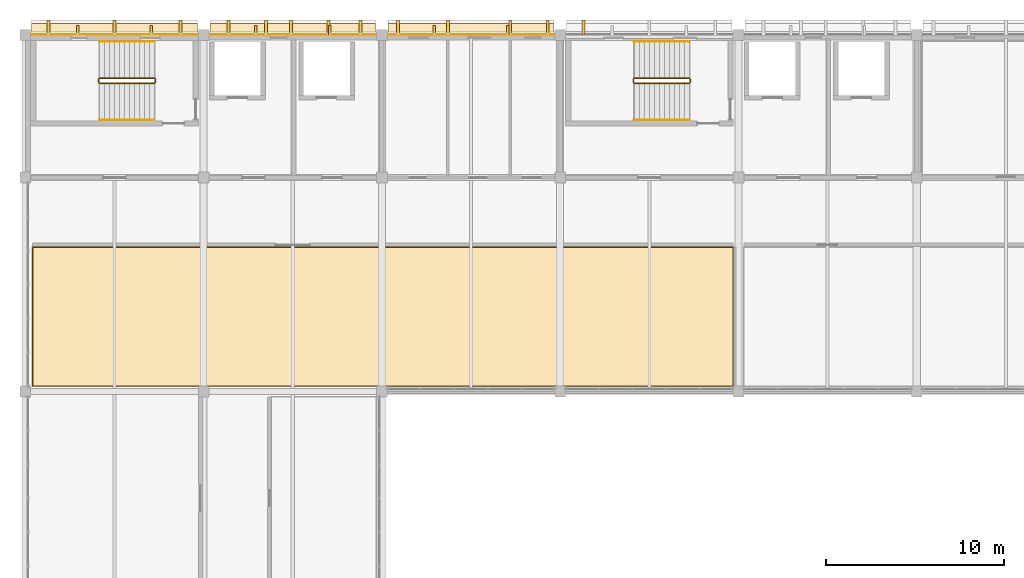
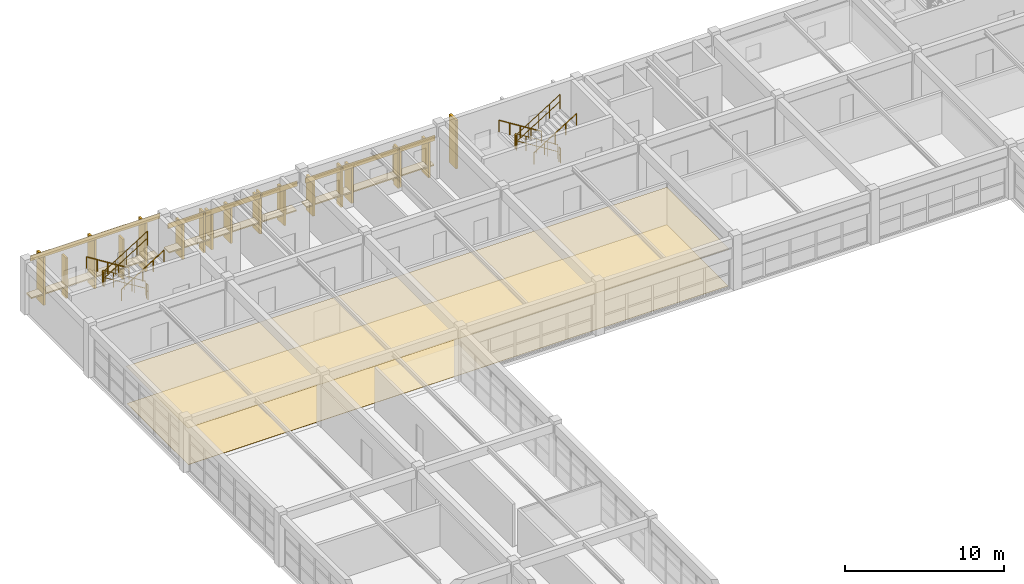
# One storey, part 26 of 28: 21 coverings, 12 railings, 6 shading devices.
"""IFC4 building model written with IfcOpenShell, lengths in metres."""

from ifc_helpers import new_model, si_unit, direction, frame, frame_2d, origin, origin_2d, place, context, subcontext, project, spatial, polyline, rectangle, circle, outline, extrude, material, layer, layer_set, type_object, element, save


model = new_model("IFC4")

# Units and contexts
model_context = context("Model", 3, precision=1e-05, world=origin(), true_north=direction((0.0, 1.0)))
body_context = subcontext(model_context, "Body", "Model", "MODEL_VIEW")
ifc_project = project(units=[si_unit("LENGTHUNIT", "METRE"), si_unit("AREAUNIT", "SQUARE_METRE"), si_unit("VOLUMEUNIT", "CUBIC_METRE"), si_unit("PLANEANGLEUNIT", "RADIAN"), si_unit("MASSUNIT", "GRAM", prefix="KILO")], contexts=[model_context])

# Site, building, storey
site_placement = place(None, origin())
site = spatial("IfcSite", under=ifc_project, at=site_placement, CompositionType="ELEMENT")
building_placement = place(site_placement, origin())
building = spatial("IfcBuilding", under=site, at=building_placement, Name="Kivolera Central Railway Station", CompositionType="ELEMENT")
storey_placement = place(building_placement, frame((0.0, 0.0, 18.60009765625)))
storey = spatial("IfcBuildingStorey", under=building, at=storey_placement, Name="L04", CompositionType="ELEMENT", Elevation=18.60009765625)

# Shading devices
ifc_material_1 = material(Name="Precast concrete C40/50", Category="concrete")
shading_device_type = type_object("IfcShadingDeviceType", Name="BS-FIN-UPP", PredefinedType="USERDEFINED", material=ifc_material_1)
for number, where, z_axis, x_axis, name in (
    (1, (120.929931640625, 134.26708984375, -0.000244140625), (0.0, 0.0, 1.0), (1.0, 0.0, 0.0), "L04 North Brise-Soleil Fin 1.1"),
    (2, (125.070068359375, 134.26708984375, -0.000244140625), (0.0, 0.0, 1.0), (1.0, 0.0, 0.0), "L04 North Brise-Soleil Fin 1.2"),
    (3, (130.929931640625, 134.26708984375, -0.000244140625), (0.0, 0.0, 1.0), (1.0, 0.0, 0.0), "L04 North Brise-Soleil Fin 2.1"),
    (4, (135.070068359375, 134.26708984375, -0.000244140625), (0.0, 0.0, 1.0), (1.0, 0.0, 0.0), "L04 North Brise-Soleil Fin 2.2"),
    (5, (140.929931640625, 134.26708984375, -0.000244140625), (0.0, 0.0, 1.0), (1.0, 0.0, 0.0), "L04 North Brise-Soleil Fin 3.1"),
    (6, (145.070068359375, 134.26708984375, -0.000244140625), (0.0, 0.0, 1.0), (1.0, 0.0, 0.0), "L04 North Brise-Soleil Fin 3.2"),
):
    element("IfcShadingDevice", number, at=place(storey_placement, frame(where, z_axis=z_axis, x_axis=x_axis)), inside=storey, type_object=shading_device_type, Name=name, ObjectType="FIN", PredefinedType="USERDEFINED", context=body_context, shape_type="SweptSolid", body=[
        extrude(rectangle(XDim=0.139892578125, YDim=0.550048828125, at=origin_2d()), origin(), (0.0, 0.0, 1.0), 3.10009765625),
    ])

# Coverings
ifc_material_2 = material(Name="Mineral fibre acoustic tile")
ifc_layer_1 = layer(ifc_material_2, 0.02001953125, Name="Mineral fibre acoustic tile")
ifc_layer_set_1 = layer_set([ifc_layer_1], Name="Mineral fibre acoustic tile")
covering_type_1 = type_object("IfcCoveringType", Name="COV-CEIL-20", PredefinedType="CEILING", material=ifc_layer_set_1)
covering_1_placement = place(storey_placement, frame((0.0, 0.0, 2.849853515625)))
element("IfcCovering", 7, at=covering_1_placement, inside=storey, type_object=covering_type_1, Name="L04 Central Traffic Control Operations Office Acoustic Ceiling", PredefinedType="CEILING", context=body_context, shape_type="SweptSolid", body=[
    extrude(outline(polyline([(118.3798828125, 114.280029296875), (157.719970703125, 114.280029296875), (157.719970703125, 122.1201171875), (118.3798828125, 122.1201171875), (118.3798828125, 114.280029296875)])), origin(), (0.0, 0.0, 1.0), 0.02001953125),
])
ifc_layer_2 = layer(ifc_material_1, 0.090087890625, Name="Precast concrete C40/50")
ifc_layer_set_2 = layer_set([ifc_layer_2], Name="Precast concrete C40/50")
covering_type_2 = type_object("IfcCoveringType", Name="COV-CLAUSTRA-90", PredefinedType="CLADDING", material=ifc_layer_set_2)
for number, where, z_axis, x_axis, name in (
    (8, (123.0, 134.31298828125, 0.85498046875), (0.0, 0.0, 1.0), (1.0, 0.0, 0.0), "L04 North Precast Egg-Crate Sill Shelf 1"),
    (9, (133.0, 134.31298828125, 0.85498046875), (0.0, 0.0, 1.0), (1.0, 0.0, 0.0), "L04 North Precast Egg-Crate Sill Shelf 2"),
    (10, (143.0, 134.31298828125, 0.85498046875), (0.0, 0.0, 1.0), (1.0, 0.0, 0.0), "L04 North Precast Egg-Crate Sill Shelf 3"),
):
    element("IfcCovering", number, at=place(storey_placement, frame(where, z_axis=z_axis, x_axis=x_axis)), inside=storey, type_object=covering_type_2, Name=name, PredefinedType="CLADDING", context=body_context, shape_type="SweptSolid", body=[
        extrude(rectangle(XDim=9.2900390625, YDim=0.64990234375, at=origin_2d()), origin(), (0.0, 0.0, 1.0), 0.090087890625),
    ])
ifc_material_3 = material(Name="Swahili coral limestone", Category="masonry")
ifc_layer_3 = layer(ifc_material_3, 0.159912109375, Name="Swahili coral limestone")
ifc_layer_set_3 = layer_set([ifc_layer_3], Name="Swahili coral limestone")
covering_type_3 = type_object("IfcCoveringType", Name="COV-EGGFIN-160", PredefinedType="CLADDING", material=ifc_layer_set_3)
for number, where, z_axis, x_axis, name in (
    (11, (119.300048828125, 134.4130859375, 0.0400390625), (0.0, 0.0, 1.0), (1.0, 0.0, 0.0), "L04 North Afro-Modernist Coral-Stone Sun-Fin 1.1"),
    (12, (123.0, 134.4130859375, 0.0400390625), (0.0, 0.0, 1.0), (1.0, 0.0, 0.0), "L04 North Afro-Modernist Coral-Stone Sun-Fin 1.2"),
    (13, (126.699951171875, 134.4130859375, 0.0400390625), (0.0, 0.0, 1.0), (1.0, 0.0, 0.0), "L04 North Afro-Modernist Coral-Stone Sun-Fin 1.3"),
):
    element("IfcCovering", number, at=place(storey_placement, frame(where, z_axis=z_axis, x_axis=x_axis)), inside=storey, type_object=covering_type_3, Name=name, PredefinedType="CLADDING", context=body_context, shape_type="SweptSolid", body=[
        extrude(rectangle(XDim=0.159912109375, YDim=0.85009765625, at=origin_2d()), origin(), (0.0, 0.0, 1.0), 3.719970703125),
    ])
for number, where, z_axis, x_axis, name in (
    (14, (129.39990234375, 134.4130859375, 0.039794921875), (0.0, 0.0, 1.0), (1.0, 0.0, 0.0), "L04 North Afro-Modernist Coral-Stone Sun-Fin 2.1"),
    (15, (131.5, 134.4130859375, 0.039794921875), (0.0, 0.0, 1.0), (1.0, 0.0, 0.0), "L04 North Afro-Modernist Coral-Stone Sun-Fin 2.2"),
    (16, (132.89990234375, 134.4130859375, 0.039794921875), (0.0, 0.0, 1.0), (1.0, 0.0, 0.0), "L04 North Afro-Modernist Coral-Stone Sun-Fin 2.3"),
    (17, (135.0, 134.4130859375, 0.039794921875), (0.0, 0.0, 1.0), (1.0, 0.0, 0.0), "L04 North Afro-Modernist Coral-Stone Sun-Fin 2.4"),
    (18, (136.800048828125, 134.4130859375, 0.039794921875), (0.0, 0.0, 1.0), (1.0, 0.0, 0.0), "L04 North Afro-Modernist Coral-Stone Sun-Fin 2.5"),
    (19, (138.89990234375, 134.4130859375, 0.039794921875), (0.0, 0.0, 1.0), (1.0, 0.0, 0.0), "L04 North Afro-Modernist Coral-Stone Sun-Fin 3.1"),
    (20, (141.699951171875, 134.4130859375, 0.039794921875), (0.0, 0.0, 1.0), (1.0, 0.0, 0.0), "L04 North Afro-Modernist Coral-Stone Sun-Fin 3.2"),
    (21, (145.199951171875, 134.4130859375, 0.039794921875), (0.0, 0.0, 1.0), (1.0, 0.0, 0.0), "L04 North Afro-Modernist Coral-Stone Sun-Fin 3.3"),
    (22, (147.300048828125, 134.4130859375, 0.039794921875), (0.0, 0.0, 1.0), (1.0, 0.0, 0.0), "L04 North Afro-Modernist Coral-Stone Sun-Fin 3.4"),
):
    element("IfcCovering", number, at=place(storey_placement, frame(where, z_axis=z_axis, x_axis=x_axis)), inside=storey, type_object=covering_type_3, Name=name, PredefinedType="CLADDING", context=body_context, shape_type="SweptSolid", body=[
        extrude(rectangle(XDim=0.159912109375, YDim=0.85009765625, at=origin_2d()), origin(), (0.0, 0.0, 1.0), 2.7080078125),
    ])
covering_2_placement = place(storey_placement, frame((149.300048828125, 134.4130859375, 0.0400390625), z_axis=(0.0, 0.0, 1.0), x_axis=(1.0, 0.0, 0.0)))
element("IfcCovering", 23, at=covering_2_placement, inside=storey, type_object=covering_type_3, Name="L04 North Afro-Modernist Coral-Stone Sun-Fin 4.1", PredefinedType="CLADDING", context=body_context, shape_type="SweptSolid", body=[
    extrude(rectangle(XDim=0.159912109375, YDim=0.85009765625, at=origin_2d()), origin(), (0.0, 0.0, 1.0), 3.719970703125),
])
ifc_material_4 = material(Name="Terracotta clay tile", Category="masonry")
ifc_layer_4 = layer(ifc_material_4, 0.02197265625, Name="Terracotta clay tile")
ifc_layer_set_4 = layer_set([ifc_layer_4], Name="Terracotta clay tile")
covering_type_4 = type_object("IfcCoveringType", Name="COV-FLR-22", PredefinedType="FLOORING", material=ifc_layer_set_4)
covering_3_placement = place(storey_placement, origin())
element("IfcCovering", 24, at=covering_3_placement, inside=storey, type_object=covering_type_4, Name="L04 Central Traffic Control Operations Office Floor Finish", PredefinedType="FLOORING", context=body_context, shape_type="SweptSolid", body=[
    extrude(outline(polyline([(118.419921875, 114.320068359375), (157.679931640625, 114.320068359375), (157.679931640625, 122.080078125), (118.419921875, 122.080078125), (118.419921875, 114.320068359375)])), origin(), (0.0, 0.0, 1.0), 0.02197265625),
])
ifc_layer_5 = layer(ifc_material_4, 0.044921875, Name="Terracotta clay tile")
ifc_layer_set_5 = layer_set([ifc_layer_5], Name="Terracotta clay tile")
covering_type_5 = type_object("IfcCoveringType", Name="COV-TERRACOTTA-45", PredefinedType="CLADDING", material=ifc_layer_set_5)
covering_4_placement = place(storey_placement, frame((118.294921875, 134.02001953125, 3.77001953125), z_axis=(0.0, 0.0, 1.0), x_axis=(1.0, 0.0, 0.0)))
element("IfcCovering", 25, at=covering_4_placement, inside=storey, type_object=covering_type_5, Name="L04 North Terracotta Spandrel 1", PredefinedType="CLADDING", context=body_context, shape_type="SweptSolid", body=[
    extrude(rectangle(XDim=9.41015625, YDim=0.044921875, at=frame_2d((4.705078125, 0.0))), origin(), (0.0, 0.0, 1.0), 0.39990234375),
])
for number, where, z_axis, x_axis, name in (
    (26, (128.294921875, 134.02001953125, 2.7578125), (0.0, 0.0, 1.0), (1.0, 0.0, 0.0), "L04 North Terracotta Spandrel 2"),
    (27, (138.294921875, 134.02001953125, 2.7578125), (0.0, 0.0, 1.0), (1.0, 0.0, 0.0), "L04 North Terracotta Spandrel 3"),
):
    element("IfcCovering", number, at=place(storey_placement, frame(where, z_axis=z_axis, x_axis=x_axis)), inside=storey, type_object=covering_type_5, Name=name, PredefinedType="CLADDING", context=body_context, shape_type="SweptSolid", body=[
        extrude(rectangle(XDim=9.41015625, YDim=0.044921875, at=frame_2d((4.705078125, 0.0))), origin(), (0.0, 0.0, 1.0), 0.400146484375),
    ])

# Railings
ifc_material_5 = material(Name="Anodised aluminium", Category="aluminium")
ifc_layer_6 = layer(ifc_material_5, 0.048095703125, Name="Anodised aluminium")
ifc_layer_set_6 = layer_set([ifc_layer_6], Name="Anodised aluminium")
railing_type_1 = type_object("IfcRailingType", Name="RL-STAIR-GUARD", PredefinedType="GUARDRAIL", material=ifc_layer_set_6)
railing_1_placement = place(storey_placement, frame((125.239990234375, 131.570068359375, 0.1748046875)))
element("IfcRailing", 28, at=railing_1_placement, inside=storey, type_object=railing_type_1, Name="L04 ST1 stair guard 1", PredefinedType="GUARDRAIL", context=body_context, shape_type="SweptSolid", body=[
    extrude(circle(Radius=0.02392578125, at=origin_2d()), frame((0.0, 0.0, 1.10595703125), z_axis=(-0.847998304005, 0.0, 0.529998940003), x_axis=(0.0, -1.0, 0.0)), (0.0, 0.0, 1.0), 3.632080078125),
    extrude(circle(Radius=0.02392578125, at=origin_2d()), frame((0.0, 0.0, 0.56494140625), z_axis=(-0.847998304005, 0.0, 0.529998940003), x_axis=(0.0, -1.0, 0.0)), (0.0, 0.0, 1.0), 3.632080078125),
    extrude(circle(Radius=0.02099609375, at=origin_2d()), origin(), (0.0, 0.0, 1.0), 1.081787109375),
    extrude(circle(Radius=0.02099609375, at=origin_2d()), frame((-0.77001953125, 0.0, 0.481201171875)), (0.0, 0.0, 1.0), 1.081787109375),
    extrude(circle(Radius=0.02099609375, at=origin_2d()), frame((-1.5400390625, 0.0, 0.96240234375)), (0.0, 0.0, 1.0), 1.081787109375),
    extrude(circle(Radius=0.02099609375, at=origin_2d()), frame((-2.31005859375, 0.0, 1.44384765625)), (0.0, 0.0, 1.0), 1.081787109375),
    extrude(circle(Radius=0.02099609375, at=origin_2d()), frame((-3.080078125, 0.0, 1.925048828125)), (0.0, 0.0, 1.0), 1.081787109375),
])
railing_2_placement = place(storey_placement, frame((122.110107421875, 131.52001953125, 2.099853515625)))
element("IfcRailing", 29, at=railing_2_placement, inside=storey, type_object=railing_type_1, Name="L04 ST1 stair guard 2", PredefinedType="GUARDRAIL", context=body_context, shape_type="SweptSolid", body=[
    extrude(circle(Radius=0.02392578125, at=origin_2d()), frame((0.0, 0.0, 1.10595703125), z_axis=(0.0, -1.0, 0.0), x_axis=(1.0, 0.0, 0.0)), (0.0, 0.0, 1.0), 0.179931640625),
    extrude(circle(Radius=0.02392578125, at=origin_2d()), frame((0.0, 0.0, 0.56494140625), z_axis=(0.0, -1.0, 0.0), x_axis=(1.0, 0.0, 0.0)), (0.0, 0.0, 1.0), 0.179931640625),
    extrude(circle(Radius=0.02099609375, at=origin_2d()), origin(), (0.0, 0.0, 1.0), 1.081787109375),
    extrude(circle(Radius=0.02099609375, at=origin_2d()), frame((0.0, -0.179931640625, 0.0)), (0.0, 0.0, 1.0), 1.081787109375),
])
railing_3_placement = place(storey_placement, frame((122.159912109375, 131.2900390625, 2.27490234375)))
element("IfcRailing", 30, at=railing_3_placement, inside=storey, type_object=railing_type_1, Name="L04 ST1 stair guard 3", PredefinedType="GUARDRAIL", context=body_context, shape_type="SweptSolid", body=[
    extrude(circle(Radius=0.02392578125, at=origin_2d()), frame((0.0, 0.0, 1.10595703125), z_axis=(0.847998304005, 0.0, 0.529998940003), x_axis=(0.0, 1.0, 0.0)), (0.0, 0.0, 1.0), 3.632080078125),
    extrude(circle(Radius=0.02392578125, at=origin_2d()), frame((0.0, 0.0, 0.56494140625), z_axis=(0.847998304005, 0.0, 0.529998940003), x_axis=(0.0, 1.0, 0.0)), (0.0, 0.0, 1.0), 3.632080078125),
    extrude(circle(Radius=0.02099609375, at=origin_2d()), origin(), (0.0, 0.0, 1.0), 1.081787109375),
    extrude(circle(Radius=0.02099609375, at=origin_2d()), frame((0.77001953125, 0.0, 0.481201171875)), (0.0, 0.0, 1.0), 1.081787109375),
    extrude(circle(Radius=0.02099609375, at=origin_2d()), frame((1.5400390625, 0.0, 0.96240234375)), (0.0, 0.0, 1.0), 1.081787109375),
    extrude(circle(Radius=0.02099609375, at=origin_2d()), frame((2.31005859375, 0.0, 1.44384765625)), (0.0, 0.0, 1.0), 1.081787109375),
    extrude(circle(Radius=0.02099609375, at=origin_2d()), frame((3.080078125, 0.0, 1.925048828125)), (0.0, 0.0, 1.0), 1.081787109375),
])
railing_4_placement = place(storey_placement, frame((125.2900390625, 131.52001953125, 0.0)))
element("IfcRailing", 31, at=railing_4_placement, inside=storey, type_object=railing_type_1, Name="L04 ST1 stair guard 4", PredefinedType="GUARDRAIL", context=body_context, shape_type="SweptSolid", body=[
    extrude(circle(Radius=0.02392578125, at=origin_2d()), frame((0.0, 0.0, 1.10595703125), z_axis=(0.0, -1.0, 0.0), x_axis=(1.0, 0.0, 0.0)), (0.0, 0.0, 1.0), 0.179931640625),
    extrude(circle(Radius=0.02392578125, at=origin_2d()), frame((0.0, 0.0, 0.56494140625), z_axis=(0.0, -1.0, 0.0), x_axis=(1.0, 0.0, 0.0)), (0.0, 0.0, 1.0), 0.179931640625),
    extrude(circle(Radius=0.02099609375, at=origin_2d()), origin(), (0.0, 0.0, 1.0), 1.081787109375),
    extrude(circle(Radius=0.02099609375, at=origin_2d()), frame((0.0, -0.179931640625, 0.0)), (0.0, 0.0, 1.0), 1.081787109375),
])
railing_5_placement = place(storey_placement, frame((155.239990234375, 131.570068359375, 0.1748046875)))
element("IfcRailing", 32, at=railing_5_placement, inside=storey, type_object=railing_type_1, Name="L04 ST2 stair guard 1", PredefinedType="GUARDRAIL", context=body_context, shape_type="SweptSolid", body=[
    extrude(circle(Radius=0.02392578125, at=origin_2d()), frame((0.0, 0.0, 1.10595703125), z_axis=(-0.847998304005, 0.0, 0.529998940003), x_axis=(0.0, -1.0, 0.0)), (0.0, 0.0, 1.0), 3.632080078125),
    extrude(circle(Radius=0.02392578125, at=origin_2d()), frame((0.0, 0.0, 0.56494140625), z_axis=(-0.847998304005, 0.0, 0.529998940003), x_axis=(0.0, -1.0, 0.0)), (0.0, 0.0, 1.0), 3.632080078125),
    extrude(circle(Radius=0.02099609375, at=origin_2d()), origin(), (0.0, 0.0, 1.0), 1.081787109375),
    extrude(circle(Radius=0.02099609375, at=origin_2d()), frame((-0.77001953125, 0.0, 0.481201171875)), (0.0, 0.0, 1.0), 1.081787109375),
    extrude(circle(Radius=0.02099609375, at=origin_2d()), frame((-1.5400390625, 0.0, 0.96240234375)), (0.0, 0.0, 1.0), 1.081787109375),
    extrude(circle(Radius=0.02099609375, at=origin_2d()), frame((-2.31005859375, 0.0, 1.44384765625)), (0.0, 0.0, 1.0), 1.081787109375),
    extrude(circle(Radius=0.02099609375, at=origin_2d()), frame((-3.080078125, 0.0, 1.925048828125)), (0.0, 0.0, 1.0), 1.081787109375),
])
railing_6_placement = place(storey_placement, frame((152.110107421875, 131.52001953125, 2.099853515625)))
element("IfcRailing", 33, at=railing_6_placement, inside=storey, type_object=railing_type_1, Name="L04 ST2 stair guard 2", PredefinedType="GUARDRAIL", context=body_context, shape_type="SweptSolid", body=[
    extrude(circle(Radius=0.02392578125, at=origin_2d()), frame((0.0, 0.0, 1.10595703125), z_axis=(0.0, -1.0, 0.0), x_axis=(1.0, 0.0, 0.0)), (0.0, 0.0, 1.0), 0.179931640625),
    extrude(circle(Radius=0.02392578125, at=origin_2d()), frame((0.0, 0.0, 0.56494140625), z_axis=(0.0, -1.0, 0.0), x_axis=(1.0, 0.0, 0.0)), (0.0, 0.0, 1.0), 0.179931640625),
    extrude(circle(Radius=0.02099609375, at=origin_2d()), origin(), (0.0, 0.0, 1.0), 1.081787109375),
    extrude(circle(Radius=0.02099609375, at=origin_2d()), frame((0.0, -0.179931640625, 0.0)), (0.0, 0.0, 1.0), 1.081787109375),
])
railing_7_placement = place(storey_placement, frame((152.159912109375, 131.2900390625, 2.27490234375)))
element("IfcRailing", 34, at=railing_7_placement, inside=storey, type_object=railing_type_1, Name="L04 ST2 stair guard 3", PredefinedType="GUARDRAIL", context=body_context, shape_type="SweptSolid", body=[
    extrude(circle(Radius=0.02392578125, at=origin_2d()), frame((0.0, 0.0, 1.10595703125), z_axis=(0.847998304005, 0.0, 0.529998940003), x_axis=(0.0, 1.0, 0.0)), (0.0, 0.0, 1.0), 3.632080078125),
    extrude(circle(Radius=0.02392578125, at=origin_2d()), frame((0.0, 0.0, 0.56494140625), z_axis=(0.847998304005, 0.0, 0.529998940003), x_axis=(0.0, 1.0, 0.0)), (0.0, 0.0, 1.0), 3.632080078125),
    extrude(circle(Radius=0.02099609375, at=origin_2d()), origin(), (0.0, 0.0, 1.0), 1.081787109375),
    extrude(circle(Radius=0.02099609375, at=origin_2d()), frame((0.77001953125, 0.0, 0.481201171875)), (0.0, 0.0, 1.0), 1.081787109375),
    extrude(circle(Radius=0.02099609375, at=origin_2d()), frame((1.5400390625, 0.0, 0.96240234375)), (0.0, 0.0, 1.0), 1.081787109375),
    extrude(circle(Radius=0.02099609375, at=origin_2d()), frame((2.31005859375, 0.0, 1.44384765625)), (0.0, 0.0, 1.0), 1.081787109375),
    extrude(circle(Radius=0.02099609375, at=origin_2d()), frame((3.080078125, 0.0, 1.925048828125)), (0.0, 0.0, 1.0), 1.081787109375),
])
railing_8_placement = place(storey_placement, frame((155.2900390625, 131.52001953125, 0.0)))
element("IfcRailing", 35, at=railing_8_placement, inside=storey, type_object=railing_type_1, Name="L04 ST2 stair guard 4", PredefinedType="GUARDRAIL", context=body_context, shape_type="SweptSolid", body=[
    extrude(circle(Radius=0.02392578125, at=origin_2d()), frame((0.0, 0.0, 1.10595703125), z_axis=(0.0, -1.0, 0.0), x_axis=(1.0, 0.0, 0.0)), (0.0, 0.0, 1.0), 0.179931640625),
    extrude(circle(Radius=0.02392578125, at=origin_2d()), frame((0.0, 0.0, 0.56494140625), z_axis=(0.0, -1.0, 0.0), x_axis=(1.0, 0.0, 0.0)), (0.0, 0.0, 1.0), 0.179931640625),
    extrude(circle(Radius=0.02099609375, at=origin_2d()), origin(), (0.0, 0.0, 1.0), 1.081787109375),
    extrude(circle(Radius=0.02099609375, at=origin_2d()), frame((0.0, -0.179931640625, 0.0)), (0.0, 0.0, 1.0), 1.081787109375),
])
ifc_layer_7 = layer(ifc_material_5, 0.048095703125, Name="Anodised aluminium")
ifc_layer_set_7 = layer_set([ifc_layer_7], Name="Anodised aluminium")
railing_type_2 = type_object("IfcRailingType", Name="RL-STAIR-HAND", PredefinedType="HANDRAIL", material=ifc_layer_set_7)
railing_9_placement = place(storey_placement, frame((125.239990234375, 133.6298828125, 0.1748046875)))
element("IfcRailing", 36, at=railing_9_placement, inside=storey, type_object=railing_type_2, Name="L04 ST1 stair handrail 1", PredefinedType="HANDRAIL", context=body_context, shape_type="SweptSolid", body=[
    extrude(circle(Radius=0.02392578125, at=origin_2d()), frame((0.0, 0.0, 0.8759765625), z_axis=(-0.847998304005, 0.0, 0.529998940003), x_axis=(0.0, -1.0, 0.0)), (0.0, 0.0, 1.0), 3.632080078125),
    extrude(circle(Radius=0.02099609375, at=origin_2d()), origin(), (0.0, 0.0, 1.0), 0.851806640625),
    extrude(circle(Radius=0.02099609375, at=origin_2d()), frame((-0.77001953125, 0.0, 0.481201171875)), (0.0, 0.0, 1.0), 0.851806640625),
    extrude(circle(Radius=0.02099609375, at=origin_2d()), frame((-1.5400390625, 0.0, 0.96240234375)), (0.0, 0.0, 1.0), 0.851806640625),
    extrude(circle(Radius=0.02099609375, at=origin_2d()), frame((-2.31005859375, 0.0, 1.44384765625)), (0.0, 0.0, 1.0), 0.851806640625),
    extrude(circle(Radius=0.02099609375, at=origin_2d()), frame((-3.080078125, 0.0, 1.925048828125)), (0.0, 0.0, 1.0), 0.851806640625),
])
railing_10_placement = place(storey_placement, frame((122.159912109375, 129.22998046875, 2.27490234375)))
element("IfcRailing", 37, at=railing_10_placement, inside=storey, type_object=railing_type_2, Name="L04 ST1 stair handrail 2", PredefinedType="HANDRAIL", context=body_context, shape_type="SweptSolid", body=[
    extrude(circle(Radius=0.02392578125, at=origin_2d()), frame((0.0, 0.0, 0.8759765625), z_axis=(0.847998304005, 0.0, 0.529998940003), x_axis=(0.0, 1.0, 0.0)), (0.0, 0.0, 1.0), 3.632080078125),
    extrude(circle(Radius=0.02099609375, at=origin_2d()), origin(), (0.0, 0.0, 1.0), 0.851806640625),
    extrude(circle(Radius=0.02099609375, at=origin_2d()), frame((0.77001953125, 0.0, 0.481201171875)), (0.0, 0.0, 1.0), 0.851806640625),
    extrude(circle(Radius=0.02099609375, at=origin_2d()), frame((1.5400390625, 0.0, 0.96240234375)), (0.0, 0.0, 1.0), 0.851806640625),
    extrude(circle(Radius=0.02099609375, at=origin_2d()), frame((2.31005859375, 0.0, 1.44384765625)), (0.0, 0.0, 1.0), 0.851806640625),
    extrude(circle(Radius=0.02099609375, at=origin_2d()), frame((3.080078125, 0.0, 1.925048828125)), (0.0, 0.0, 1.0), 0.851806640625),
])
railing_11_placement = place(storey_placement, frame((155.239990234375, 133.6298828125, 0.1748046875)))
element("IfcRailing", 38, at=railing_11_placement, inside=storey, type_object=railing_type_2, Name="L04 ST2 stair handrail 1", PredefinedType="HANDRAIL", context=body_context, shape_type="SweptSolid", body=[
    extrude(circle(Radius=0.02392578125, at=origin_2d()), frame((0.0, 0.0, 0.8759765625), z_axis=(-0.847998304005, 0.0, 0.529998940003), x_axis=(0.0, -1.0, 0.0)), (0.0, 0.0, 1.0), 3.632080078125),
    extrude(circle(Radius=0.02099609375, at=origin_2d()), origin(), (0.0, 0.0, 1.0), 0.851806640625),
    extrude(circle(Radius=0.02099609375, at=origin_2d()), frame((-0.77001953125, 0.0, 0.481201171875)), (0.0, 0.0, 1.0), 0.851806640625),
    extrude(circle(Radius=0.02099609375, at=origin_2d()), frame((-1.5400390625, 0.0, 0.96240234375)), (0.0, 0.0, 1.0), 0.851806640625),
    extrude(circle(Radius=0.02099609375, at=origin_2d()), frame((-2.31005859375, 0.0, 1.44384765625)), (0.0, 0.0, 1.0), 0.851806640625),
    extrude(circle(Radius=0.02099609375, at=origin_2d()), frame((-3.080078125, 0.0, 1.925048828125)), (0.0, 0.0, 1.0), 0.851806640625),
])
railing_12_placement = place(storey_placement, frame((152.159912109375, 129.22998046875, 2.27490234375)))
element("IfcRailing", 39, at=railing_12_placement, inside=storey, type_object=railing_type_2, Name="L04 ST2 stair handrail 2", PredefinedType="HANDRAIL", context=body_context, shape_type="SweptSolid", body=[
    extrude(circle(Radius=0.02392578125, at=origin_2d()), frame((0.0, 0.0, 0.8759765625), z_axis=(0.847998304005, 0.0, 0.529998940003), x_axis=(0.0, 1.0, 0.0)), (0.0, 0.0, 1.0), 3.632080078125),
    extrude(circle(Radius=0.02099609375, at=origin_2d()), origin(), (0.0, 0.0, 1.0), 0.851806640625),
    extrude(circle(Radius=0.02099609375, at=origin_2d()), frame((0.77001953125, 0.0, 0.481201171875)), (0.0, 0.0, 1.0), 0.851806640625),
    extrude(circle(Radius=0.02099609375, at=origin_2d()), frame((1.5400390625, 0.0, 0.96240234375)), (0.0, 0.0, 1.0), 0.851806640625),
    extrude(circle(Radius=0.02099609375, at=origin_2d()), frame((2.31005859375, 0.0, 1.44384765625)), (0.0, 0.0, 1.0), 0.851806640625),
    extrude(circle(Radius=0.02099609375, at=origin_2d()), frame((3.080078125, 0.0, 1.925048828125)), (0.0, 0.0, 1.0), 0.851806640625),
])

save(model, "model.ifc")
